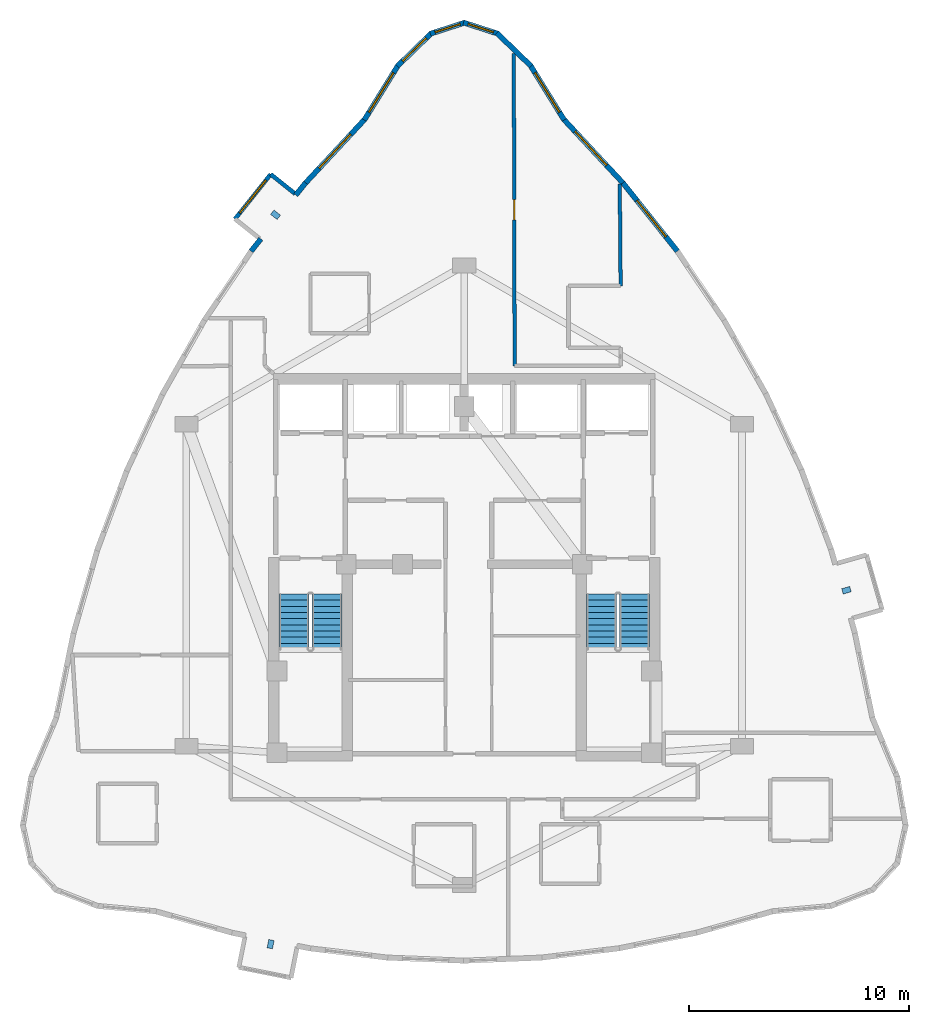
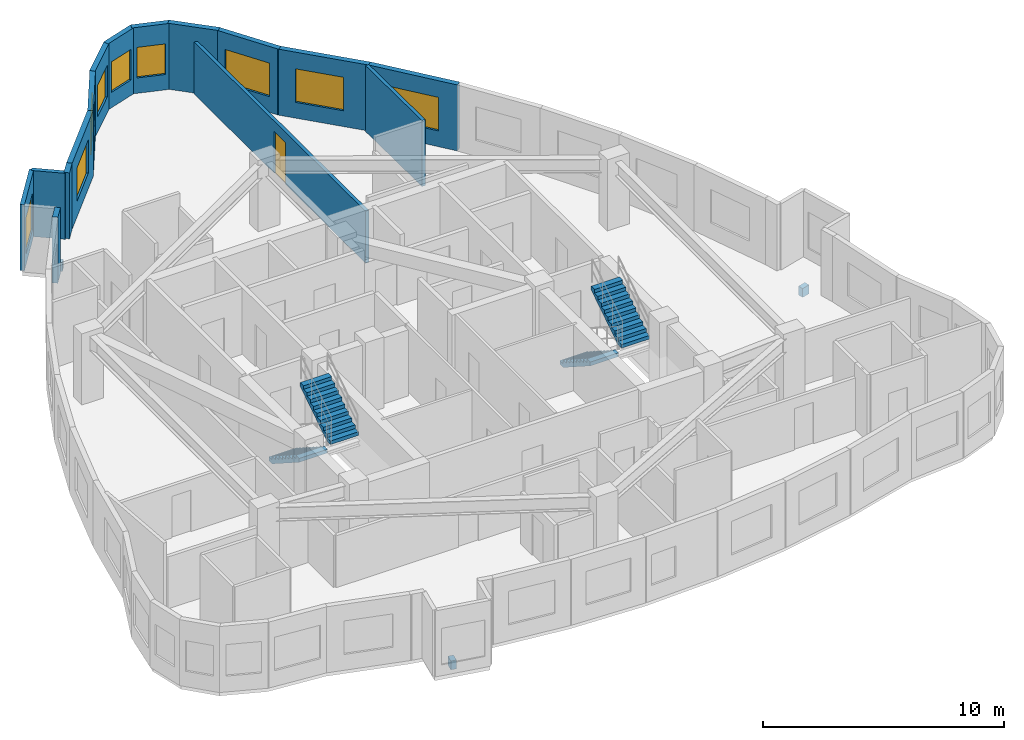
# One storey, part 11 of 12: 15 walls, 9 windows, 4 stair flights, 3 discrete accessories, 1 door, 10 openings, 2 elements without a shape of their own.
"""IFC4 building model written with IfcOpenShell, lengths in metres."""

from ifc_helpers import new_model, si_unit, direction, frame, frame_2d, origin, origin_2d, place, context, subcontext, project, spatial, polyline, rectangle, outline, extrude, material, layer, layer_set, type_object, element, fill, aggregate, save


model = new_model("IFC4")

# Units and contexts
model_context = context("Model", 3, precision=1e-05, world=origin(), true_north=direction((0.0, 1.0)))
body_context = subcontext(model_context, "Body", "Model", "MODEL_VIEW")
ifc_project = project(units=[si_unit("LENGTHUNIT", "METRE"), si_unit("AREAUNIT", "SQUARE_METRE"), si_unit("VOLUMEUNIT", "CUBIC_METRE"), si_unit("PLANEANGLEUNIT", "RADIAN"), si_unit("MASSUNIT", "GRAM", prefix="KILO")], contexts=[model_context])

# Site, building, storey
site_placement = place(None, origin())
site = spatial("IfcSite", under=ifc_project, at=site_placement, CompositionType="ELEMENT")
building_placement = place(site_placement, origin())
building = spatial("IfcBuilding", under=site, at=building_placement, Name="Miruveldt Soraemaru", CompositionType="ELEMENT")
storey_placement = place(building_placement, frame((0.0, 0.0, 216.0)))
storey = spatial("IfcBuildingStorey", under=building, at=storey_placement, Name="L59", CompositionType="ELEMENT", Elevation=216.0)

# Wall
ifc_material_1 = material(Name="White powder-coated aluminium EN AW-6060 T6", Category="aluminium")
ifc_layer_1 = layer(ifc_material_1, 0.18994140625, Name="White powder-coated aluminium EN AW-6060 T6", Category="aluminium")
ifc_layer_set_1 = layer_set([ifc_layer_1], Name="White powder-coated aluminium EN AW-6060 T6")
wall_type_1 = type_object("IfcWallType", Name="WALL-BAY-ALU190", PredefinedType="SOLIDWALL", material=ifc_layer_set_1)
wall_1_placement = place(storey_placement, frame((36.3349609375, 60.8515625, 0.0), z_axis=(0.0, 0.0, 1.0), x_axis=(-0.781737193764, 0.623608017817, 0.0)))
element("IfcWall", 1, at=wall_1_placement, inside=storey, type_object=wall_type_1, Name="L59 Bay Window Side Cheek 3L", PredefinedType="SOLIDWALL", context=body_context, shape_type="SweptSolid", body=[
    extrude(rectangle(XDim=1.425048828125, YDim=0.18994140625, at=frame_2d((0.71240234375, 0.0))), origin(), (0.0, 0.0, 1.0), 3.344970703125),
])

# Wall, opening, window
wall_2_placement = place(storey_placement, frame((35.220947265625, 61.740234375, 0.0), z_axis=(0.0, 0.0, 1.0), x_axis=(-0.623663926583, -0.781692590907, 0.0)))
wall_2 = element("IfcWall", 2, at=wall_2_placement, inside=storey, type_object=wall_type_1, Name="L59 Bay Window Front Frame 3", PredefinedType="SOLIDWALL", context=body_context, shape_type="SweptSolid", body=[
    extrude(rectangle(XDim=2.60009765625, YDim=0.18994140625, at=frame_2d((1.300048828125, 0.0))), origin(), (0.0, 0.0, 1.0), 3.344970703125),
])
opening_1_placement = place(wall_2_placement, frame((0.35009765625, 0.0, 0.550048828125)))
opening_1 = element("IfcOpeningElement", 3, at=opening_1_placement, cuts=wall_2, Name="Opening WN-6", PredefinedType="OPENING", context=body_context, shape_type="SweptSolid", body=[
    extrude(rectangle(XDim=1.89990234375, YDim=1.85009765625, at=frame_2d((0.949951171875, 0.925048828125))), frame((0.0, 0.10498046875, 0.0), z_axis=(0.0, -1.0, 0.0), x_axis=(1.0, 0.0, 0.0)), (0.0, 0.0, 1.0), 0.2099609375),
])
ifc_material_2 = material(Name="Triple low-e insulated glazing", Category="glass")
window_type_1 = type_object("IfcWindowType", Name="WIN-BAYW-1900x1850", PartitioningType="SINGLE_PANEL", PredefinedType="WINDOW", material=ifc_material_2)
window_1_placement = place(opening_1_placement, origin())
window_1 = element("IfcWindow", 4, at=window_1_placement, inside=storey, type_object=window_type_1, Name="L59 Projecting Bay Window 3", OverallHeight=1.85009765625, OverallWidth=1.89990234375, PartitioningType="SINGLE_PANEL", PredefinedType="WINDOW", context=body_context, shape_type="SweptSolid", body=[
    extrude(rectangle(XDim=1.89990234375, YDim=1.85009765625, at=frame_2d((0.949951171875, 0.925048828125))), frame((0.0, 0.030029296875, 0.0), z_axis=(0.0, -1.0, 0.0), x_axis=(1.0, 0.0, 0.0)), (0.0, 0.0, 1.0), 0.06005859375),
])
fill(opening_1, window_1)

ifc_material_3 = material(Name="Precast concrete C45/55 (45 MPa)", Category="concrete")
ifc_layer_2 = layer(ifc_material_3, 0.239990234375, Name="Precast concrete C45/55 (45 MPa)", Category="concrete")
ifc_layer_set_2 = layer_set([ifc_layer_2], Name="Precast concrete C45/55 (45 MPa)")
wall_type_2 = type_object("IfcWallType", Name="WALL-EXT-PC240", PredefinedType="SOLIDWALL", material=ifc_layer_set_2)
wall_3_placement = place(storey_placement, frame((48.535888671875, 64.198974609375, 0.0), z_axis=(0.0, 0.0, 1.0), x_axis=(-0.526116690269, 0.850412387151, 0.0)))
wall_3 = element("IfcWall", 5, at=wall_3_placement, inside=storey, type_object=wall_type_2, Name="L59 Precast Concrete Facade Wall 1", PredefinedType="SOLIDWALL", context=body_context, shape_type="SweptSolid", body=[
    extrude(rectangle(XDim=2.932373046875, YDim=0.239990234375, at=frame_2d((1.46630859375, 0.0))), origin(), (0.0, 0.0, 1.0), 3.344970703125),
])
opening_2_placement = place(wall_3_placement, frame((0.416015625, 0.0, 0.800048828125)))
opening_2 = element("IfcOpeningElement", 6, at=opening_2_placement, cuts=wall_3, Name="Opening WN-1", PredefinedType="OPENING", context=body_context, shape_type="SweptSolid", body=[
    extrude(rectangle(XDim=2.10009765625, YDim=1.699951171875, at=frame_2d((1.050048828125, 0.85009765625))), frame((0.0, 0.1298828125, 0.0), z_axis=(0.0, -1.0, 0.0), x_axis=(1.0, 0.0, 0.0)), (0.0, 0.0, 1.0), 0.260009765625),
])
window_type_2 = type_object("IfcWindowType", Name="WIN-PUNCH-2100x1700", PartitioningType="SINGLE_PANEL", PredefinedType="WINDOW", material=ifc_material_2)
window_2_placement = place(opening_2_placement, origin())
window_2 = element("IfcWindow", 7, at=window_2_placement, inside=storey, type_object=window_type_2, Name="L59 Punched Triple-Glazed Window 01.1", OverallHeight=1.699951171875, OverallWidth=2.10009765625, PartitioningType="SINGLE_PANEL", PredefinedType="WINDOW", context=body_context, shape_type="SweptSolid", body=[
    extrude(rectangle(XDim=2.10009765625, YDim=1.699951171875, at=frame_2d((1.050048828125, 0.85009765625))), frame((0.0, 0.030029296875, 0.0), z_axis=(0.0, -1.0, 0.0), x_axis=(1.0, 0.0, 0.0)), (0.0, 0.0, 1.0), 0.06005859375),
])
fill(opening_2, window_2)

# Wall
wall_4_placement = place(storey_placement, frame((47.03662109375, 66.638427734375, 0.0), z_axis=(0.0, 0.0, 1.0), x_axis=(-0.717724698944, 0.696326975297, 0.0)))
element("IfcWall", 8, at=wall_4_placement, inside=storey, type_object=wall_type_2, Name="L59 Precast Concrete Facade Wall 2", PredefinedType="SOLIDWALL", context=body_context, shape_type="SweptSolid", body=[
    extrude(rectangle(XDim=2.167724609375, YDim=0.239990234375, at=frame_2d((1.083984375, 0.0))), origin(), (0.0, 0.0, 1.0), 3.344970703125),
])

# Wall, opening, window
wall_5_placement = place(storey_placement, frame((45.5390625, 68.11279296875, 0.0), z_axis=(0.0, 0.0, 1.0), x_axis=(-0.951510677504, 0.307615719032, 0.0)))
wall_5 = element("IfcWall", 9, at=wall_5_placement, inside=storey, type_object=wall_type_2, Name="L59 Precast Concrete Facade Wall 3", PredefinedType="SOLIDWALL", context=body_context, shape_type="SweptSolid", body=[
    extrude(rectangle(XDim=1.65234375, YDim=0.239990234375, at=frame_2d((0.826171875, 0.0))), origin(), (0.0, 0.0, 1.0), 3.344970703125),
])
opening_3_placement = place(wall_5_placement, frame((0.22705078125, 0.0, 0.780029296875)))
opening_3 = element("IfcOpeningElement", 10, at=opening_3_placement, cuts=wall_5, Name="Opening WN-4", PredefinedType="OPENING", context=body_context, shape_type="SweptSolid", body=[
    extrude(rectangle(XDim=1.199951171875, YDim=1.550048828125, at=frame_2d((0.60009765625, 0.77490234375))), frame((0.0, 0.1298828125, 0.0), z_axis=(0.0, -1.0, 0.0), x_axis=(1.0, 0.0, 0.0)), (0.0, 0.0, 1.0), 0.260009765625),
])
window_type_3 = type_object("IfcWindowType", Name="WIN-PUNCH-1200x1550", PartitioningType="SINGLE_PANEL", PredefinedType="WINDOW", material=ifc_material_2)
window_3_placement = place(opening_3_placement, origin())
window_3 = element("IfcWindow", 11, at=window_3_placement, inside=storey, type_object=window_type_3, Name="L59 Punched Triple-Glazed Window 03.1", OverallHeight=1.550048828125, OverallWidth=1.199951171875, PartitioningType="SINGLE_PANEL", PredefinedType="WINDOW", context=body_context, shape_type="SweptSolid", body=[
    extrude(rectangle(XDim=1.199951171875, YDim=1.550048828125, at=frame_2d((0.60009765625, 0.77490234375))), frame((0.0, 0.030029296875, 0.0), z_axis=(0.0, -1.0, 0.0), x_axis=(1.0, 0.0, 0.0)), (0.0, 0.0, 1.0), 0.06005859375),
])
fill(opening_3, window_3)

wall_6_placement = place(storey_placement, frame((44.033203125, 68.62109375, 0.0), z_axis=(0.0, 0.0, 1.0), x_axis=(-0.951510677504, -0.307615719032, 0.0)))
wall_6 = element("IfcWall", 12, at=wall_6_placement, inside=storey, type_object=wall_type_2, Name="L59 Precast Concrete Facade Wall 4", PredefinedType="SOLIDWALL", context=body_context, shape_type="SweptSolid", body=[
    extrude(rectangle(XDim=1.65234375, YDim=0.239990234375, at=frame_2d((0.826171875, 0.0))), origin(), (0.0, 0.0, 1.0), 3.344970703125),
])
opening_4_placement = place(wall_6_placement, frame((0.22705078125, 0.0, 0.780029296875)))
opening_4 = element("IfcOpeningElement", 13, at=opening_4_placement, cuts=wall_6, Name="Opening WN-4", PredefinedType="OPENING", context=body_context, shape_type="SweptSolid", body=[
    extrude(rectangle(XDim=1.199951171875, YDim=1.550048828125, at=frame_2d((0.60009765625, 0.77490234375))), frame((0.0, 0.1298828125, 0.0), z_axis=(0.0, -1.0, 0.0), x_axis=(1.0, 0.0, 0.0)), (0.0, 0.0, 1.0), 0.260009765625),
])
window_4_placement = place(opening_4_placement, origin())
window_4 = element("IfcWindow", 14, at=window_4_placement, inside=storey, type_object=window_type_3, Name="L59 Punched Triple-Glazed Window 04.1", OverallHeight=1.550048828125, OverallWidth=1.199951171875, PartitioningType="SINGLE_PANEL", PredefinedType="WINDOW", context=body_context, shape_type="SweptSolid", body=[
    extrude(rectangle(XDim=1.199951171875, YDim=1.550048828125, at=frame_2d((0.60009765625, 0.77490234375))), frame((0.0, 0.030029296875, 0.0), z_axis=(0.0, -1.0, 0.0), x_axis=(1.0, 0.0, 0.0)), (0.0, 0.0, 1.0), 0.06005859375),
])
fill(opening_4, window_4)

wall_7_placement = place(storey_placement, frame((42.519287109375, 68.14794921875, 0.0), z_axis=(0.0, 0.0, 1.0), x_axis=(-0.717724698944, -0.696326975297, 0.0)))
wall_7 = element("IfcWall", 15, at=wall_7_placement, inside=storey, type_object=wall_type_2, Name="L59 Precast Concrete Facade Wall 5", PredefinedType="SOLIDWALL", context=body_context, shape_type="SweptSolid", body=[
    extrude(rectangle(XDim=2.167724609375, YDim=0.239990234375, at=frame_2d((1.083984375, 0.0))), origin(), (0.0, 0.0, 1.0), 3.344970703125),
])
opening_5_placement = place(wall_7_placement, frame((0.333984375, 0.0, 0.800048828125)))
opening_5 = element("IfcOpeningElement", 16, at=opening_5_placement, cuts=wall_7, Name="Opening WN-3", PredefinedType="OPENING", context=body_context, shape_type="SweptSolid", body=[
    extrude(rectangle(XDim=1.5, YDim=1.60009765625, at=frame_2d((0.75, 0.800048828125))), frame((0.0, 0.1298828125, 0.0), z_axis=(0.0, -1.0, 0.0), x_axis=(1.0, 0.0, 0.0)), (0.0, 0.0, 1.0), 0.260009765625),
])
window_type_4 = type_object("IfcWindowType", Name="WIN-PUNCH-1500x1600", PartitioningType="SINGLE_PANEL", PredefinedType="WINDOW", material=ifc_material_2)
window_5_placement = place(opening_5_placement, origin())
window_5 = element("IfcWindow", 17, at=window_5_placement, inside=storey, type_object=window_type_4, Name="L59 Punched Triple-Glazed Window 05.1", OverallHeight=1.60009765625, OverallWidth=1.5, PartitioningType="SINGLE_PANEL", PredefinedType="WINDOW", context=body_context, shape_type="SweptSolid", body=[
    extrude(rectangle(XDim=1.5, YDim=1.60009765625, at=frame_2d((0.75, 0.800048828125))), frame((0.0, 0.030029296875, 0.0), z_axis=(0.0, -1.0, 0.0), x_axis=(1.0, 0.0, 0.0)), (0.0, 0.0, 1.0), 0.06005859375),
])
fill(opening_5, window_5)

wall_8_placement = place(storey_placement, frame((41.0068359375, 66.692626953125, 0.0), z_axis=(0.0, 0.0, 1.0), x_axis=(-0.526116690269, -0.850412387151, 0.0)))
wall_8 = element("IfcWall", 18, at=wall_8_placement, inside=storey, type_object=wall_type_2, Name="L59 Precast Concrete Facade Wall 6", PredefinedType="SOLIDWALL", context=body_context, shape_type="SweptSolid", body=[
    extrude(rectangle(XDim=2.932373046875, YDim=0.239990234375, at=frame_2d((1.46630859375, 0.0))), origin(), (0.0, 0.0, 1.0), 3.344970703125),
])
opening_6_placement = place(wall_8_placement, frame((0.416015625, 0.0, 0.800048828125)))
opening_6 = element("IfcOpeningElement", 19, at=opening_6_placement, cuts=wall_8, Name="Opening WN-1", PredefinedType="OPENING", context=body_context, shape_type="SweptSolid", body=[
    extrude(rectangle(XDim=2.10009765625, YDim=1.699951171875, at=frame_2d((1.050048828125, 0.85009765625))), frame((0.0, 0.1298828125, 0.0), z_axis=(0.0, -1.0, 0.0), x_axis=(1.0, 0.0, 0.0)), (0.0, 0.0, 1.0), 0.260009765625),
])
window_6_placement = place(opening_6_placement, origin())
window_6 = element("IfcWindow", 20, at=window_6_placement, inside=storey, type_object=window_type_2, Name="L59 Punched Triple-Glazed Window 06.1", OverallHeight=1.699951171875, OverallWidth=2.10009765625, PartitioningType="SINGLE_PANEL", PredefinedType="WINDOW", context=body_context, shape_type="SweptSolid", body=[
    extrude(rectangle(XDim=2.10009765625, YDim=1.699951171875, at=frame_2d((1.050048828125, 0.85009765625))), frame((0.0, 0.030029296875, 0.0), z_axis=(0.0, -1.0, 0.0), x_axis=(1.0, 0.0, 0.0)), (0.0, 0.0, 1.0), 0.06005859375),
])
fill(opening_6, window_6)

wall_9_placement = place(storey_placement, frame((39.50634765625, 64.25439453125, 0.0), z_axis=(0.0, 0.0, 1.0), x_axis=(-0.680870897297, -0.732403455217, 0.0)))
wall_9 = element("IfcWall", 21, at=wall_9_placement, inside=storey, type_object=wall_type_2, Name="L59 Precast Concrete Facade Wall 7", PredefinedType="SOLIDWALL", context=body_context, shape_type="SweptSolid", body=[
    extrude(rectangle(XDim=4.036376953125, YDim=0.239990234375, at=frame_2d((2.01806640625, 0.0))), origin(), (0.0, 0.0, 1.0), 3.344970703125),
])
opening_7_placement = place(wall_9_placement, frame((0.968017578125, 0.0, 0.800048828125)))
opening_7 = element("IfcOpeningElement", 22, at=opening_7_placement, cuts=wall_9, Name="Opening WN-1", PredefinedType="OPENING", context=body_context, shape_type="SweptSolid", body=[
    extrude(rectangle(XDim=2.10009765625, YDim=1.699951171875, at=frame_2d((1.050048828125, 0.85009765625))), frame((0.0, 0.1298828125, 0.0), z_axis=(0.0, -1.0, 0.0), x_axis=(1.0, 0.0, 0.0)), (0.0, 0.0, 1.0), 0.260009765625),
])
window_7_placement = place(opening_7_placement, origin())
window_7 = element("IfcWindow", 23, at=window_7_placement, inside=storey, type_object=window_type_2, Name="L59 Punched Triple-Glazed Window 07.1", OverallHeight=1.699951171875, OverallWidth=2.10009765625, PartitioningType="SINGLE_PANEL", PredefinedType="WINDOW", context=body_context, shape_type="SweptSolid", body=[
    extrude(rectangle(XDim=2.10009765625, YDim=1.699951171875, at=frame_2d((1.050048828125, 0.85009765625))), frame((0.0, 0.030029296875, 0.0), z_axis=(0.0, -1.0, 0.0), x_axis=(1.0, 0.0, 0.0)), (0.0, 0.0, 1.0), 0.06005859375),
])
fill(opening_7, window_7)

# Walls
for number, where, z_axis, x_axis, name in (
    (24, (36.8037109375, 61.35107421875, 0.0), (0.0, 0.0, 1.0), (-0.623566879575, -0.781770008824, 0.0), "L59 Precast Pier Wall 8A"),
    (25, (34.775146484375, 58.808349609375, 0.0), (0.0, 0.0, 1.0), (-0.623357530904, -0.781936946733, 0.0), "L59 Precast Pier Wall 8B"),
):
    element("IfcWall", number, at=place(storey_placement, frame(where, z_axis=z_axis, x_axis=x_axis)), inside=storey, type_object=wall_type_2, Name=name, PredefinedType="SOLIDWALL", context=body_context, shape_type="SweptSolid", body=[
        extrude(rectangle(XDim=0.712890625, YDim=0.239990234375, at=frame_2d((0.3564453125, 0.0))), origin(), (0.0, 0.0, 1.0), 3.344970703125),
    ])

# Wall, opening, window
wall_10_placement = place(storey_placement, frame((53.669189453125, 58.2509765625, 0.0), z_axis=(0.0, 0.0, 1.0), x_axis=(-0.623590760343, 0.781750960098, 0.0)))
wall_10 = element("IfcWall", 26, at=wall_10_placement, inside=storey, type_object=wall_type_2, Name="L59 Precast Concrete Facade Wall 41", PredefinedType="SOLIDWALL", context=body_context, shape_type="SweptSolid", body=[
    extrude(rectangle(XDim=3.965576171875, YDim=0.239990234375, at=frame_2d((1.98291015625, 0.0))), origin(), (0.0, 0.0, 1.0), 3.344970703125),
])
opening_8_placement = place(wall_10_placement, frame((0.837890625, 0.0, 0.800048828125)))
opening_8 = element("IfcOpeningElement", 27, at=opening_8_placement, cuts=wall_10, Name="Opening WN-1", PredefinedType="OPENING", context=body_context, shape_type="SweptSolid", body=[
    extrude(rectangle(XDim=2.10009765625, YDim=1.699951171875, at=frame_2d((1.050048828125, 0.85009765625))), frame((0.0, 0.1298828125, 0.0), z_axis=(0.0, -1.0, 0.0), x_axis=(1.0, 0.0, 0.0)), (0.0, 0.0, 1.0), 0.260009765625),
])
window_8_placement = place(opening_8_placement, origin())
window_8 = element("IfcWindow", 28, at=window_8_placement, inside=storey, type_object=window_type_2, Name="L59 Punched Triple-Glazed Window 41.1", OverallHeight=1.699951171875, OverallWidth=2.10009765625, PartitioningType="SINGLE_PANEL", PredefinedType="WINDOW", context=body_context, shape_type="SweptSolid", body=[
    extrude(rectangle(XDim=2.10009765625, YDim=1.699951171875, at=frame_2d((1.050048828125, 0.85009765625))), frame((0.0, 0.030029296875, 0.0), z_axis=(0.0, -1.0, 0.0), x_axis=(1.0, 0.0, 0.0)), (0.0, 0.0, 1.0), 0.06005859375),
])
fill(opening_8, window_8)

wall_11_placement = place(storey_placement, frame((51.241943359375, 61.298095703125, 0.0), z_axis=(0.0, 0.0, 1.0), x_axis=(-0.680870897297, 0.732403455217, 0.0)))
wall_11 = element("IfcWall", 29, at=wall_11_placement, inside=storey, type_object=wall_type_2, Name="L59 Precast Concrete Facade Wall 42", PredefinedType="SOLIDWALL", context=body_context, shape_type="SweptSolid", body=[
    extrude(rectangle(XDim=4.036376953125, YDim=0.239990234375, at=frame_2d((2.01806640625, 0.0))), origin(), (0.0, 0.0, 1.0), 3.344970703125),
])
opening_9_placement = place(wall_11_placement, frame((1.154052734375, 0.0, 0.800048828125)))
opening_9 = element("IfcOpeningElement", 30, at=opening_9_placement, cuts=wall_11, Name="Opening WN-1", PredefinedType="OPENING", context=body_context, shape_type="SweptSolid", body=[
    extrude(rectangle(XDim=2.10009765625, YDim=1.699951171875, at=frame_2d((1.050048828125, 0.85009765625))), frame((0.0, 0.1298828125, 0.0), z_axis=(0.0, -1.0, 0.0), x_axis=(1.0, 0.0, 0.0)), (0.0, 0.0, 1.0), 0.260009765625),
])
window_9_placement = place(opening_9_placement, origin())
window_9 = element("IfcWindow", 31, at=window_9_placement, inside=storey, type_object=window_type_2, Name="L59 Punched Triple-Glazed Window 42.1", OverallHeight=1.699951171875, OverallWidth=2.10009765625, PartitioningType="SINGLE_PANEL", PredefinedType="WINDOW", context=body_context, shape_type="SweptSolid", body=[
    extrude(rectangle(XDim=2.10009765625, YDim=1.699951171875, at=frame_2d((1.050048828125, 0.85009765625))), frame((0.0, 0.030029296875, 0.0), z_axis=(0.0, -1.0, 0.0), x_axis=(1.0, 0.0, 0.0)), (0.0, 0.0, 1.0), 0.06005859375),
])
fill(opening_9, window_9)

# Wall, opening, door
ifc_material_4 = material(Name="Concrete C40/50 (40 MPa)", Category="concrete")
ifc_layer_3 = layer(ifc_material_4, 0.159912109375, Name="Concrete C40/50 (40 MPa)", Category="concrete")
ifc_layer_set_3 = layer_set([ifc_layer_3], Name="Concrete C40/50 (40 MPa)")
wall_type_3 = type_object("IfcWallType", Name="WALL-INT-RC160", PredefinedType="SOLIDWALL", material=ifc_layer_set_3)
wall_12_placement = place(storey_placement, frame((46.287109375, 53.050048828125, 0.0), z_axis=(0.0, 0.0, 1.0), x_axis=(-0.002688718306, 0.99999638539, 0.0)))
wall_12 = element("IfcWall", 32, at=wall_12_placement, inside=storey, type_object=wall_type_3, Name="L59 Partition Wall 17", PredefinedType="SOLIDWALL", context=body_context, shape_type="SweptSolid", body=[
    extrude(rectangle(XDim=14.1650390625, YDim=0.159912109375, at=frame_2d((7.08251953125, 0.0))), origin(), (0.0, 0.0, 1.0), 2.633056640625),
])
opening_10_placement = place(wall_12_placement, frame((6.623046875, 0.0, 0.0)))
opening_10 = element("IfcOpeningElement", 33, at=opening_10_placement, cuts=wall_12, Name="Opening D3A", PredefinedType="OPENING", context=body_context, shape_type="SweptSolid", body=[
    extrude(rectangle(XDim=0.919921875, YDim=2.10009765625, at=frame_2d((0.4599609375, 1.050048828125))), frame((0.0, 0.08984375, 0.0), z_axis=(0.0, -1.0, 0.0), x_axis=(1.0, 0.0, 0.0)), (0.0, 0.0, 1.0), 0.179931640625),
])
ifc_material_5 = material(Name="Anodised aluminium EN AW-6063 T6", Category="aluminium")
door_type = type_object("IfcDoorType", Name="DOOR-INT-920", OperationType="NOTDEFINED", PredefinedType="DOOR", material=ifc_material_5)
door_placement = place(opening_10_placement, origin())
door = element("IfcDoor", 34, at=door_placement, inside=storey, type_object=door_type, Name="L59 Unit 5901 BD1 Door", OperationType="SINGLE_SWING_RIGHT", OverallHeight=2.10009765625, OverallWidth=0.919921875, PredefinedType="DOOR", context=body_context, shape_type="SweptSolid", body=[
    extrude(rectangle(XDim=0.919921875, YDim=2.10009765625, at=frame_2d((0.4599609375, 1.050048828125))), frame((0.0, 0.02490234375, 0.0), z_axis=(0.0, -1.0, 0.0), x_axis=(1.0, 0.0, 0.0)), (0.0, 0.0, 1.0), 0.050048828125),
])
fill(opening_10, door)

# Wall
wall_13_placement = place(storey_placement, frame((51.053955078125, 61.302001953125, 0.0), z_axis=(0.0, 0.0, 1.0), x_axis=(0.008662256869, -0.999962481949, 0.0)))
element("IfcWall", 35, at=wall_13_placement, inside=storey, type_object=wall_type_3, Name="L59 Partition Wall 44", PredefinedType="SOLIDWALL", context=body_context, shape_type="SweptSolid", body=[
    extrude(rectangle(XDim=4.622314453125, YDim=0.159912109375, at=frame_2d((2.31103515625, 0.0))), origin(), (0.0, 0.0, 1.0), 3.344970703125),
])

# Stair, stair flights
stair_type = type_object("IfcStairType", Name="STAIR-DL-360", PredefinedType="HALF_TURN_STAIR", material=ifc_material_4)
stair_1_placement = place(storey_placement, origin())
stair_1 = element("IfcStair", 36, at=stair_1_placement, inside=storey, type_object=stair_type, Name="L59 Protected Exit Stair ST-1", PredefinedType="HALF_TURN_STAIR")
stair_flight_type = type_object("IfcStairFlightType", Name="SFL-DL-360", PredefinedType="STRAIGHT", material=ifc_material_4)
stair_flight_1_placement = place(storey_placement, frame((36.27490234375, 42.699951171875, 0.0), z_axis=(0.0, 0.0, 1.0), x_axis=(0.0, -1.0, 0.0)))
stair_flight_1 = element("IfcStairFlight", 37, at=stair_flight_1_placement, type_object=stair_flight_type, Name="ST-1 flight 1", NumberOfRisers=10, NumberOfTreads=9, PredefinedType="STRAIGHT", RiserHeight=0.18, TreadLength=0.28, context=body_context, shape_type="SweptSolid", body=[
    extrude(outline(polyline([(0.0, 0.0), (0.0, 0.179931640625), (0.280029296875, 0.179931640625), (0.280029296875, 0.360107421875), (0.56005859375, 0.360107421875), (0.56005859375, 0.5400390625), (0.840087890625, 0.5400390625), (0.840087890625, 0.719970703125), (1.1201171875, 0.719970703125), (1.1201171875, 0.89990234375), (1.39990234375, 0.89990234375), (1.39990234375, 1.080078125), (1.679931640625, 1.080078125), (1.679931640625, 1.260009765625), (1.9599609375, 1.260009765625), (1.9599609375, 1.43994140625), (2.239990234375, 1.43994140625), (2.239990234375, 1.6201171875), (2.52001953125, 1.6201171875), (2.52001953125, 1.800048828125), (2.52001953125, 1.429931640625), (0.295654296875, 0.0), (0.0, 0.0)])), frame((0.0, 0.675048828125, 0.0), z_axis=(0.0, -1.0, 0.0), x_axis=(1.0, 0.0, 0.0)), (0.0, 0.0, 1.0), 1.35009765625),
])
stair_flight_2_placement = place(storey_placement, frame((37.77490234375, 40.179931640625, 1.800048828125), z_axis=(0.0, 0.0, 1.0), x_axis=(0.0, 1.0, 0.0)))
stair_flight_2 = element("IfcStairFlight", 38, at=stair_flight_2_placement, type_object=stair_flight_type, Name="ST-1 flight 2", NumberOfRisers=10, NumberOfTreads=9, PredefinedType="STRAIGHT", RiserHeight=0.18, TreadLength=0.28, context=body_context, shape_type="SweptSolid", body=[
    extrude(outline(polyline([(0.0, 0.0), (0.0, 0.179931640625), (0.280029296875, 0.179931640625), (0.280029296875, 0.360107421875), (0.56005859375, 0.360107421875), (0.56005859375, 0.5400390625), (0.840087890625, 0.5400390625), (0.840087890625, 0.719970703125), (1.1201171875, 0.719970703125), (1.1201171875, 0.89990234375), (1.39990234375, 0.89990234375), (1.39990234375, 1.080078125), (1.679931640625, 1.080078125), (1.679931640625, 1.260009765625), (1.9599609375, 1.260009765625), (1.9599609375, 1.43994140625), (2.239990234375, 1.43994140625), (2.239990234375, 1.6201171875), (2.52001953125, 1.6201171875), (2.52001953125, 1.800048828125), (2.52001953125, 1.429931640625), (0.295654296875, 0.0), (0.0, 0.0)])), frame((0.0, 0.675048828125, 0.0), z_axis=(0.0, -1.0, 0.0), x_axis=(1.0, 0.0, 0.0)), (0.0, 0.0, 1.0), 1.35009765625),
])
aggregate(stair_1, [stair_flight_1, stair_flight_2])

stair_2_placement = place(storey_placement, origin())
stair_2 = element("IfcStair", 39, at=stair_2_placement, inside=storey, type_object=stair_type, Name="L59 Protected Exit Stair ST-2", PredefinedType="HALF_TURN_STAIR")
stair_flight_3_placement = place(storey_placement, frame((50.22509765625, 42.699951171875, 0.0), z_axis=(0.0, 0.0, 1.0), x_axis=(0.0, -1.0, 0.0)))
stair_flight_3 = element("IfcStairFlight", 40, at=stair_flight_3_placement, type_object=stair_flight_type, Name="ST-2 flight 1", NumberOfRisers=10, NumberOfTreads=9, PredefinedType="STRAIGHT", RiserHeight=0.18, TreadLength=0.28, context=body_context, shape_type="SweptSolid", body=[
    extrude(outline(polyline([(0.0, 0.0), (0.0, 0.179931640625), (0.280029296875, 0.179931640625), (0.280029296875, 0.360107421875), (0.56005859375, 0.360107421875), (0.56005859375, 0.5400390625), (0.840087890625, 0.5400390625), (0.840087890625, 0.719970703125), (1.1201171875, 0.719970703125), (1.1201171875, 0.89990234375), (1.39990234375, 0.89990234375), (1.39990234375, 1.080078125), (1.679931640625, 1.080078125), (1.679931640625, 1.260009765625), (1.9599609375, 1.260009765625), (1.9599609375, 1.43994140625), (2.239990234375, 1.43994140625), (2.239990234375, 1.6201171875), (2.52001953125, 1.6201171875), (2.52001953125, 1.800048828125), (2.52001953125, 1.429931640625), (0.295654296875, 0.0), (0.0, 0.0)])), frame((0.0, 0.675048828125, 0.0), z_axis=(0.0, -1.0, 0.0), x_axis=(1.0, 0.0, 0.0)), (0.0, 0.0, 1.0), 1.35009765625),
])
stair_flight_4_placement = place(storey_placement, frame((51.72509765625, 40.179931640625, 1.800048828125), z_axis=(0.0, 0.0, 1.0), x_axis=(0.0, 1.0, 0.0)))
stair_flight_4 = element("IfcStairFlight", 41, at=stair_flight_4_placement, type_object=stair_flight_type, Name="ST-2 flight 2", NumberOfRisers=10, NumberOfTreads=9, PredefinedType="STRAIGHT", RiserHeight=0.18, TreadLength=0.28, context=body_context, shape_type="SweptSolid", body=[
    extrude(outline(polyline([(0.0, 0.0), (0.0, 0.179931640625), (0.280029296875, 0.179931640625), (0.280029296875, 0.360107421875), (0.56005859375, 0.360107421875), (0.56005859375, 0.5400390625), (0.840087890625, 0.5400390625), (0.840087890625, 0.719970703125), (1.1201171875, 0.719970703125), (1.1201171875, 0.89990234375), (1.39990234375, 0.89990234375), (1.39990234375, 1.080078125), (1.679931640625, 1.080078125), (1.679931640625, 1.260009765625), (1.9599609375, 1.260009765625), (1.9599609375, 1.43994140625), (2.239990234375, 1.43994140625), (2.239990234375, 1.6201171875), (2.52001953125, 1.6201171875), (2.52001953125, 1.800048828125), (2.52001953125, 1.429931640625), (0.295654296875, 0.0), (0.0, 0.0)])), frame((0.0, 0.675048828125, 0.0), z_axis=(0.0, -1.0, 0.0), x_axis=(1.0, 0.0, 0.0)), (0.0, 0.0, 1.0), 1.35009765625),
])
aggregate(stair_2, [stair_flight_3, stair_flight_4])

# Discrete accessories
ifc_material_6 = material(Name="Steel SM355 (355 MPa)", Category="steel")
discrete_accessory_type = type_object("IfcDiscreteAccessoryType", Name="ACC-BAY-BRK", PredefinedType="BRACKET", material=ifc_material_6)
for number, where, z_axis, x_axis, name in (
    (42, (35.2177734375, 26.81689453125, -0.7001953125), (0.0, 0.0, 1.0), (-0.196117290802, -0.980580444557, 0.0), "L59 Bay Window Cantilever Bracket 1"),
    (43, (61.337646484375, 42.869140625, -0.7001953125), (0.0, 0.0, 1.0), (0.961453892845, 0.274966201438, 0.0), "L59 Bay Window Cantilever Bracket 2"),
    (44, (35.442138671875, 59.90087890625, -0.7001953125), (0.0, 0.0, 1.0), (-0.781727315753, 0.623620400408, 0.0), "L59 Bay Window Cantilever Bracket 3"),
):
    element("IfcDiscreteAccessory", number, at=place(storey_placement, frame(where, z_axis=z_axis, x_axis=x_axis)), inside=storey, type_object=discrete_accessory_type, Name=name, PredefinedType="BRACKET", context=body_context, shape_type="SweptSolid", body=[
        extrude(rectangle(XDim=0.3798828125, YDim=0.25, at=origin_2d()), origin(), (0.0, 0.0, 1.0), 0.449951171875),
    ])

save(model, "model.ifc")
